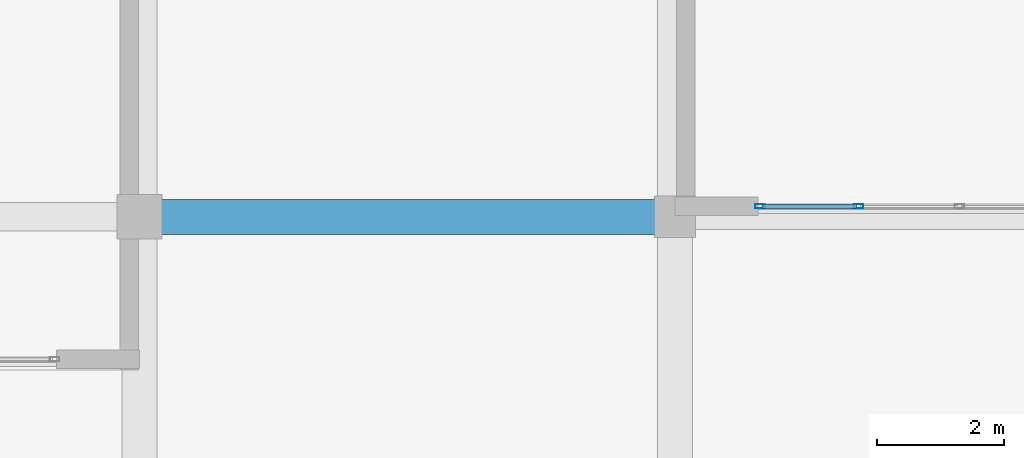
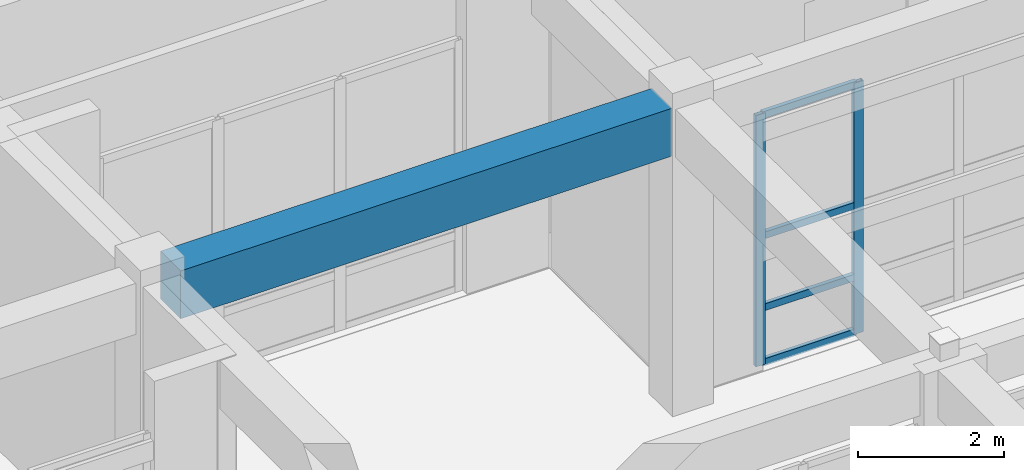
# One storey, part 76 of 148: 6 members, 1 beam, 1 element without a shape of its own.
"""IFC4 building model written with IfcOpenShell, lengths in metres."""

from ifc_helpers import new_model, si_unit, direction, frame, origin, origin_2d, place, context, subcontext, project, spatial, rectangle, hollow_rectangle, extrude, material, layer, layer_set, material_profile, profile_set, type_object, element, aggregate, save


model = new_model("IFC4")

# Units and contexts
model_context = context("Model", 3, precision=1e-05, world=origin(), true_north=direction((0.0, 1.0)))
body_context = subcontext(model_context, "Body", "Model", "MODEL_VIEW")
ifc_project = project(units=[si_unit("LENGTHUNIT", "METRE"), si_unit("AREAUNIT", "SQUARE_METRE"), si_unit("VOLUMEUNIT", "CUBIC_METRE"), si_unit("PLANEANGLEUNIT", "RADIAN"), si_unit("MASSUNIT", "GRAM", prefix="KILO")], contexts=[model_context])

# Site, building, storey
site_placement = place(None, origin())
site = spatial("IfcSite", under=ifc_project, at=site_placement, CompositionType="ELEMENT")
building_placement = place(site_placement, origin())
building = spatial("IfcBuilding", under=site, at=building_placement, Name="Quendrovan Civic Courthouse", CompositionType="ELEMENT")
storey_placement = place(building_placement, origin())
storey = spatial("IfcBuildingStorey", under=building, at=storey_placement, Name="L01", CompositionType="ELEMENT", Elevation=0.0)

# Beam
ifc_material_1 = material(Name="Concrete C40/50", Category="concrete")
ifc_material_profile_1 = material_profile(ifc_material_1, rectangle(XDim=0.550048828125, YDim=0.800048828125, at=origin_2d()), Name="RC-BM-550x800")
ifc_profile_set_1 = profile_set([ifc_material_profile_1], Name="Concrete C40/50")
beam_type = type_object("IfcBeamType", Name="BM-RC800", PredefinedType="BEAM", material=ifc_profile_set_1)
beam_placement = place(storey_placement, frame((92.72998046875, 87.60009765625, 4.719970703125), z_axis=(1.0, 0.0, 0.0), x_axis=(0.0, 1.0, 0.0)))
element("IfcBeam", 1, at=beam_placement, inside=storey, type_object=beam_type, Name="L01 Girder X0323", PredefinedType="BEAM", context=body_context, shape_type="SweptSolid", body=[
    extrude(rectangle(XDim=0.550048828125, YDim=0.800048828125, at=origin_2d()), origin(), (0.0, 0.0, 1.0), 7.76513671875),
])

# Curtain wall, members
ifc_material_2 = material(Name="Bronze anodised aluminium and low-E glass", Category="aluminium")
ifc_layer = layer(ifc_material_2, 0.179931640625, Name="Bronze anodised aluminium and low-E glass")
ifc_layer_set = layer_set([ifc_layer], Name="Bronze anodised aluminium and low-E glass")
curtain_wall_type = type_object("IfcCurtainWallType", Name="CW-U63x42", PredefinedType="USERDEFINED", material=ifc_layer_set)
curtain_wall_placement = place(storey_placement, origin())
curtain_wall = element("IfcCurtainWall", 2, at=curtain_wall_placement, inside=storey, type_object=curtain_wall_type, Name="L01 Unitised Hurricane Curtain Wall CW-049", ObjectType="UNITISED CURTAIN WALL", PredefinedType="USERDEFINED")
ifc_material_3 = material(Name="Bronze anodised aluminium", Category="aluminium")
ifc_material_profile_2 = material_profile(ifc_material_3, hollow_rectangle(XDim=0.06494140625, YDim=0.14990234375, WallThickness=0.00390625, at=origin_2d()), Name="CW-MULL-65x150")
ifc_profile_set_2 = profile_set([ifc_material_profile_2], Name="Bronze anodised aluminium")
member_type_1 = type_object("IfcMemberType", Name="CW-MULL-B", PredefinedType="MULLION", material=ifc_profile_set_2)
member_1_placement = place(storey_placement, frame((103.68115234375, 87.764892578125, 0.0), z_axis=(0.0, 0.0, 1.0), x_axis=(0.0, -1.0, 0.0)))
member_1 = element("IfcMember", 3, at=member_1_placement, type_object=member_type_1, Name="CW-049 mullion 4", PredefinedType="MULLION", context=body_context, shape_type="SweptSolid", body=[
    extrude(hollow_rectangle(XDim=0.06494140625, YDim=0.14990234375, WallThickness=0.00390625, at=origin_2d()), origin(), (0.0, 0.0, 1.0), 4.199951171875),
])
member_2_placement = place(storey_placement, frame((102.132568359375, 87.764892578125, 0.0), z_axis=(0.0, 0.0, 1.0), x_axis=(0.0, -1.0, 0.0)))
member_2 = element("IfcMember", 4, at=member_2_placement, type_object=member_type_1, Name="CW-049 mullion 5", PredefinedType="MULLION", context=body_context, shape_type="SweptSolid", body=[
    extrude(hollow_rectangle(XDim=0.06494140625, YDim=0.14990234375, WallThickness=0.00390625, at=origin_2d()), origin(), (0.0, 0.0, 1.0), 4.199951171875),
])
ifc_material_profile_3 = material_profile(ifc_material_3, hollow_rectangle(XDim=0.06494140625, YDim=0.114990234375, WallThickness=0.00390625, at=origin_2d()), Name="CW-TRAN-65x115")
ifc_profile_set_3 = profile_set([ifc_material_profile_3], Name="Bronze anodised aluminium")
member_type_2 = type_object("IfcMemberType", Name="CW-TRAN-B", PredefinedType="USERDEFINED", material=ifc_profile_set_3)
member_3_placement = place(storey_placement, frame((103.648681640625, 87.764892578125, 0.032470703125), z_axis=(-1.0, 0.0, 0.0), x_axis=(0.0, -1.0, 0.0)))
member_3 = element("IfcMember", 5, at=member_3_placement, type_object=member_type_2, Name="CW-049 transom 4.1", ObjectType="TRANSOM", PredefinedType="USERDEFINED", context=body_context, shape_type="SweptSolid", body=[
    extrude(hollow_rectangle(XDim=0.06494140625, YDim=0.114990234375, WallThickness=0.00390625, at=origin_2d()), origin(), (0.0, 0.0, 1.0), 1.483642578125),
])
member_4_placement = place(storey_placement, frame((103.648681640625, 87.764892578125, 0.949951171875), z_axis=(-1.0, 0.0, 0.0), x_axis=(0.0, -1.0, 0.0)))
member_4 = element("IfcMember", 6, at=member_4_placement, type_object=member_type_2, Name="CW-049 transom 4.2", ObjectType="TRANSOM", PredefinedType="USERDEFINED", context=body_context, shape_type="SweptSolid", body=[
    extrude(hollow_rectangle(XDim=0.06494140625, YDim=0.114990234375, WallThickness=0.00390625, at=origin_2d()), origin(), (0.0, 0.0, 1.0), 1.483642578125),
])
member_5_placement = place(storey_placement, frame((103.648681640625, 87.764892578125, 2.14990234375), z_axis=(-1.0, 0.0, 0.0), x_axis=(0.0, -1.0, 0.0)))
member_5 = element("IfcMember", 7, at=member_5_placement, type_object=member_type_2, Name="CW-049 transom 4.3", ObjectType="TRANSOM", PredefinedType="USERDEFINED", context=body_context, shape_type="SweptSolid", body=[
    extrude(hollow_rectangle(XDim=0.06494140625, YDim=0.114990234375, WallThickness=0.00390625, at=origin_2d()), origin(), (0.0, 0.0, 1.0), 1.483642578125),
])
member_6_placement = place(storey_placement, frame((103.648681640625, 87.764892578125, 4.16748046875), z_axis=(-1.0, 0.0, 0.0), x_axis=(0.0, -1.0, 0.0)))
member_6 = element("IfcMember", 8, at=member_6_placement, type_object=member_type_2, Name="CW-049 transom 4.4", ObjectType="TRANSOM", PredefinedType="USERDEFINED", context=body_context, shape_type="SweptSolid", body=[
    extrude(hollow_rectangle(XDim=0.06494140625, YDim=0.114990234375, WallThickness=0.00390625, at=origin_2d()), origin(), (0.0, 0.0, 1.0), 1.483642578125),
])
aggregate(curtain_wall, [member_1, member_2, member_3, member_4, member_5, member_6])

save(model, "model.ifc")
